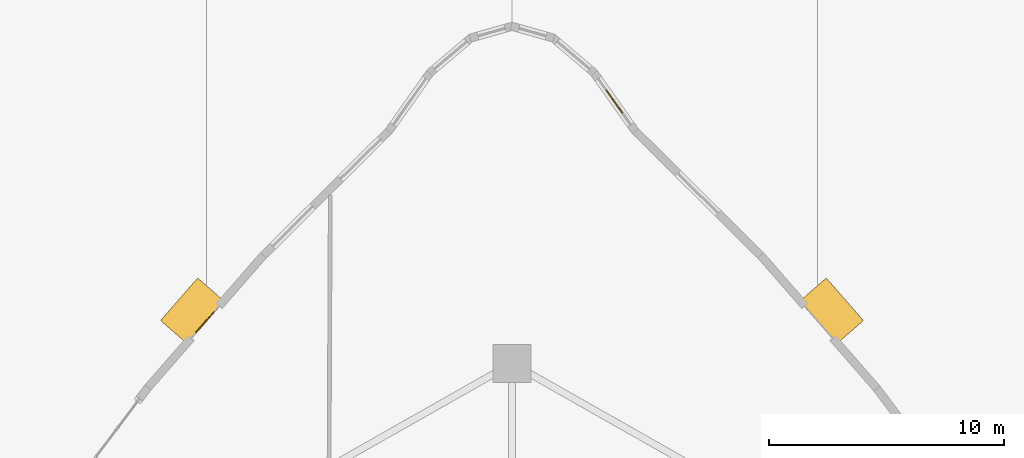
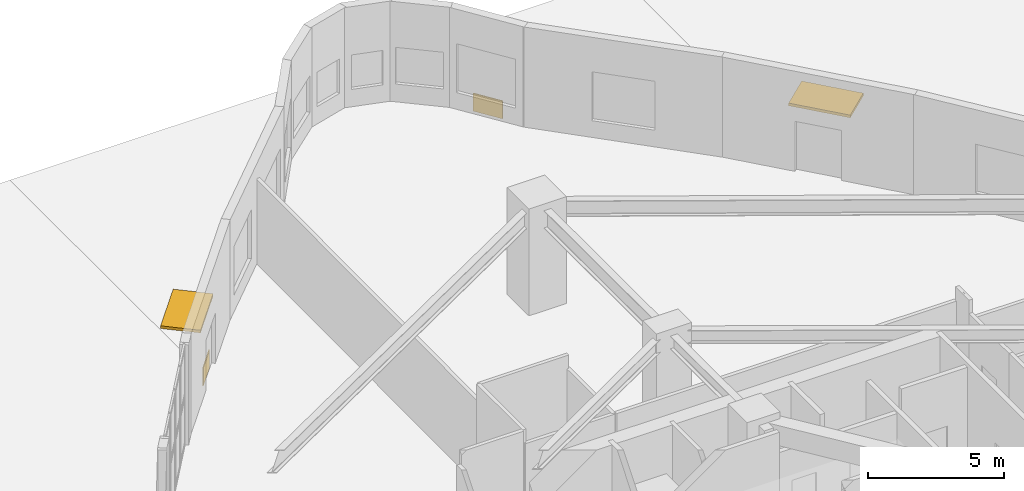
# One storey, part 31 of 32: 2 coverings, 2 shading devices.
"""IFC4 building model written with IfcOpenShell, lengths in metres."""

from ifc_helpers import new_model, si_unit, direction, frame, origin, origin_2d, place, context, subcontext, project, spatial, rectangle, extrude, material, layer, layer_set, type_object, element, save


model = new_model("IFC4")

# Units and contexts
model_context = context("Model", 3, precision=1e-05, world=origin(), true_north=direction((0.0, 1.0)))
body_context = subcontext(model_context, "Body", "Model", "MODEL_VIEW")
ifc_project = project(units=[si_unit("LENGTHUNIT", "METRE"), si_unit("AREAUNIT", "SQUARE_METRE"), si_unit("VOLUMEUNIT", "CUBIC_METRE"), si_unit("PLANEANGLEUNIT", "RADIAN"), si_unit("MASSUNIT", "GRAM", prefix="KILO")], contexts=[model_context])

# Site, building, storey
site_placement = place(None, origin())
site = spatial("IfcSite", under=ifc_project, at=site_placement, CompositionType="ELEMENT")
building_placement = place(site_placement, origin())
building = spatial("IfcBuilding", under=site, at=building_placement, Name="Miruveldt Soraemaru", CompositionType="ELEMENT")
storey_placement = place(building_placement, origin())
storey = spatial("IfcBuildingStorey", under=building, at=storey_placement, Name="L01", CompositionType="ELEMENT", Elevation=0.0)

# Coverings
ifc_material_1 = material(Name="Precast concrete C45/55 (45 MPa)", Category="concrete")
ifc_layer_1 = layer(ifc_material_1, 0.0400390625, Name="Precast concrete C45/55 (45 MPa)", Category="concrete")
ifc_layer_set_1 = layer_set([ifc_layer_1], Name="Precast concrete C45/55 (45 MPa)")
covering_type = type_object("IfcCoveringType", Name="COV-CLAD-GRAN", PredefinedType="CLADDING", material=ifc_layer_set_1)
for number, where, z_axis, x_axis, name in (
    (1, (48.353271484375, 78.33642578125, 0.0), (0.0, 0.0, 1.0), (-0.577287712086, 0.816540811886, 0.0), "L01 Reconstituted Granite Base Cladding 1"),
    (2, (30.952880859375, 68.965087890625, 0.0), (0.0, 0.0, 1.0), (-0.657690840009, -0.753287965501, 0.0), "L01 Reconstituted Granite Base Cladding 8"),
):
    element("IfcCovering", number, at=place(storey_placement, frame(where, z_axis=z_axis, x_axis=x_axis)), inside=storey, type_object=covering_type, Name=name, PredefinedType="CLADDING", context=body_context, shape_type="SweptSolid", body=[
        extrude(rectangle(XDim=1.199951171875, YDim=0.0400390625, at=origin_2d()), origin(), (0.0, 0.0, 1.0), 0.800048828125),
    ])

# Shading devices
ifc_material_2 = material(Name="Anodised aluminium EN AW-6063 T6", Category="aluminium")
ifc_layer_2 = layer(ifc_material_2, 0.1201171875, Name="Anodised aluminium EN AW-6063 T6", Category="aluminium")
ifc_layer_set_2 = layer_set([ifc_layer_2], Name="Anodised aluminium EN AW-6063 T6")
shading_device_type = type_object("IfcShadingDeviceType", Name="SHD-CANOPY-AWN", PredefinedType="AWNING", material=ifc_layer_set_2)
for number, where, z_axis, x_axis, name in (
    (3, (30.41064453125, 69.438720703125, 2.7900390625), (0.0, 0.0, 1.0), (-0.657690840009, -0.753287965501, 0.0), "L01 Entrance Canopy Awning 8"),
    (4, (57.58935546875, 69.438720703125, 2.7900390625), (0.0, 0.0, 1.0), (-0.657690840009, 0.753287965501, 0.0), "L01 Entrance Canopy Awning 41"),
):
    element("IfcShadingDevice", number, at=place(storey_placement, frame(where, z_axis=z_axis, x_axis=x_axis)), inside=storey, type_object=shading_device_type, Name=name, PredefinedType="AWNING", context=body_context, shape_type="SweptSolid", body=[
        extrude(rectangle(XDim=2.39990234375, YDim=1.5, at=origin_2d()), origin(), (0.0, 0.0, 1.0), 0.1201171875),
    ])

save(model, "model.ifc")
